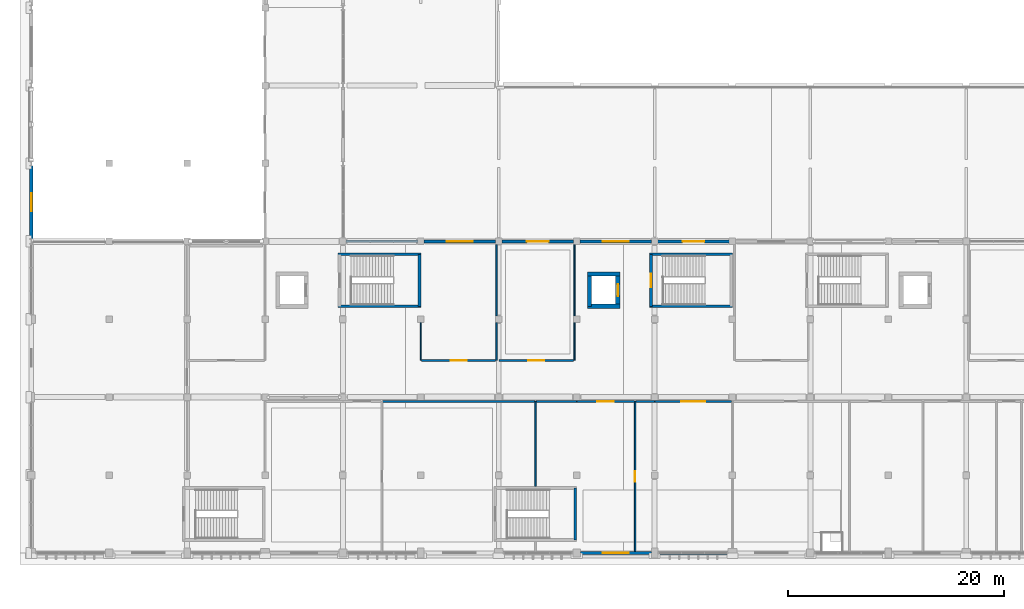
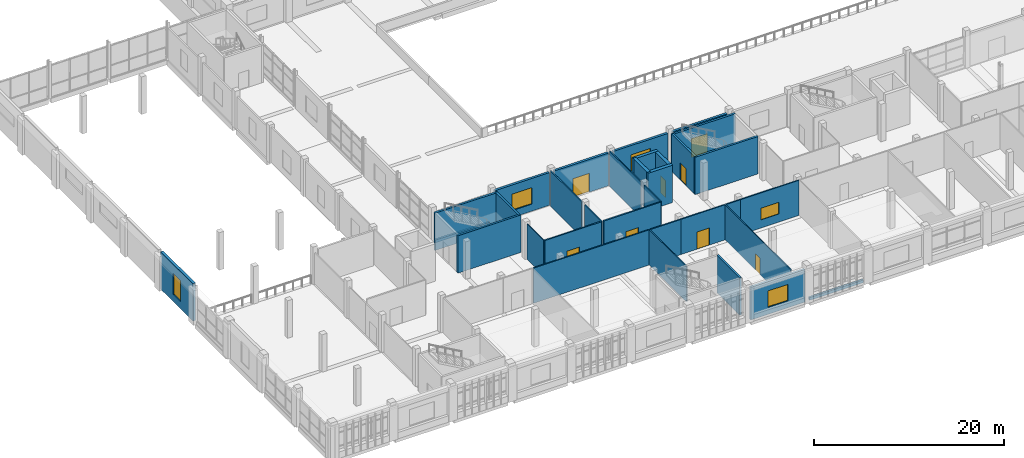
# One storey, part 57 of 82: 33 walls, 8 doors, 5 windows, 13 openings.
"""IFC4 building model written with IfcOpenShell, lengths in metres."""

from ifc_helpers import new_model, si_unit, direction, frame, frame_2d, origin, place, context, subcontext, project, spatial, rectangle, extrude, material, layer, layer_set, type_object, element, fill, save


model = new_model("IFC4")

# Units and contexts
model_context = context("Model", 3, precision=1e-05, world=origin(), true_north=direction((0.0, 1.0)))
body_context = subcontext(model_context, "Body", "Model", "MODEL_VIEW")
ifc_project = project(units=[si_unit("LENGTHUNIT", "METRE"), si_unit("AREAUNIT", "SQUARE_METRE"), si_unit("VOLUMEUNIT", "CUBIC_METRE"), si_unit("PLANEANGLEUNIT", "RADIAN"), si_unit("MASSUNIT", "GRAM", prefix="KILO")], contexts=[model_context])

# Site, building, storey
site_placement = place(None, origin())
site = spatial("IfcSite", under=ifc_project, at=site_placement, CompositionType="ELEMENT")
building_placement = place(site_placement, origin())
building = spatial("IfcBuilding", under=site, at=building_placement, Name="Sardonyx Promenade Sports Hall", CompositionType="ELEMENT")
storey_placement = place(building_placement, frame((0.0, 0.0, 11.199951171875)))
storey = spatial("IfcBuildingStorey", under=building, at=storey_placement, Name="L02", CompositionType="ELEMENT", Elevation=11.199951171875)

# Wall, opening, door
ifc_material_1 = material(Name="Concrete C40/50", Category="concrete")
ifc_layer_1 = layer(ifc_material_1, 0.3798828125)
ifc_layer_set_1 = layer_set([ifc_layer_1], Name="Wall_Core_Shear_380")
wall_type_1 = type_object("IfcWallType", Name="Wall_Core_Shear_380", PredefinedType="SHEAR", material=ifc_layer_set_1)
wall_1_placement = place(storey_placement, frame((54.199951171875, 22.800048828125, 0.0), z_axis=(0.0, 0.0, 1.0), x_axis=(0.0, 1.0, 0.0)))
wall_1 = element("IfcWall", 1, at=wall_1_placement, inside=storey, type_object=wall_type_1, Name="Lift shaft wall LF3 L02 E", PredefinedType="SHEAR", context=body_context, shape_type="SweptSolid", body=[
    extrude(rectangle(XDim=3.0, YDim=0.3798828125, at=frame_2d((1.5, 0.0))), origin(), (0.0, 0.0, 1.0), 4.800048828125),
])
opening_1_placement = place(wall_1_placement, frame((0.949951171875, 0.0, 0.0)))
opening_1 = element("IfcOpeningElement", 2, at=opening_1_placement, cuts=wall_1, Name="Opening LD01", PredefinedType="OPENING", context=body_context, shape_type="SweptSolid", body=[
    extrude(rectangle(XDim=1.10009765625, YDim=2.199951171875, at=frame_2d((0.550048828125, 1.10009765625))), frame((0.0, 0.2, 0.0), z_axis=(0.0, -1.0, 0.0), x_axis=(1.0, 0.0, 0.0)), (0.0, 0.0, 1.0), 0.4),
])
ifc_material_2 = material(Name="Fire-rated stainless steel sliding lift door", Category="steel")
door_type_1 = type_object("IfcDoorType", Name="Door_Lift_Pass_110x220", OperationType="NOTDEFINED", PredefinedType="DOOR", material=ifc_material_2)
door_1_placement = place(opening_1_placement, origin())
door_1 = element("IfcDoor", 3, at=door_1_placement, inside=storey, type_object=door_type_1, Name="Lift landing sliding door LD-LF3-L02", OperationType="SLIDING_TO_LEFT", OverallHeight=2.199951171875, OverallWidth=1.10009765625, PredefinedType="DOOR", context=body_context, shape_type="SweptSolid", body=[
    extrude(rectangle(XDim=1.10009765625, YDim=2.199951171875, at=frame_2d((0.550048828125, 1.10009765625))), frame((0.0, 0.02490234375, 0.0), z_axis=(0.0, -1.0, 0.0), x_axis=(1.0, 0.0, 0.0)), (0.0, 0.0, 1.0), 0.050048828125),
])
fill(opening_1, door_1)

# Walls
wall_2_placement = place(storey_placement, frame((51.409912109375, 25.800048828125, 0.0), z_axis=(0.0, 0.0, 1.0), x_axis=(1.0, 0.0, 0.0)))
element("IfcWall", 4, at=wall_2_placement, inside=storey, type_object=wall_type_1, Name="Lift shaft wall LF3 L02 N", PredefinedType="SHEAR", context=body_context, shape_type="SweptSolid", body=[
    extrude(rectangle(XDim=2.97998046875, YDim=0.3798828125, at=frame_2d((1.489990234375, 0.0))), origin(), (0.0, 0.0, 1.0), 4.800048828125),
])
wall_3_placement = place(storey_placement, frame((51.60009765625, 25.800048828125, 0.0), z_axis=(0.0, 0.0, 1.0), x_axis=(0.0, -1.0, 0.0)))
element("IfcWall", 5, at=wall_3_placement, inside=storey, type_object=wall_type_1, Name="Lift shaft wall LF3 L02 W", PredefinedType="SHEAR", context=body_context, shape_type="SweptSolid", body=[
    extrude(rectangle(XDim=3.0, YDim=0.3798828125, at=frame_2d((1.5, 0.0))), origin(), (0.0, 0.0, 1.0), 4.800048828125),
])
wall_4_placement = place(storey_placement, frame((54.389892578125, 22.800048828125, 0.0), z_axis=(0.0, 0.0, 1.0), x_axis=(-1.0, 0.0, 0.0)))
element("IfcWall", 6, at=wall_4_placement, inside=storey, type_object=wall_type_1, Name="Lift shaft wall LF3 L02 S", PredefinedType="SHEAR", context=body_context, shape_type="SweptSolid", body=[
    extrude(rectangle(XDim=2.97998046875, YDim=0.3798828125, at=frame_2d((1.489990234375, 0.0))), origin(), (0.0, 0.0, 1.0), 4.800048828125),
])

# Wall, opening, window
ifc_material_3 = material(Name="Concrete C40/50", Category="concrete")
ifc_layer_2 = layer(ifc_material_3, 0.320068359375)
ifc_layer_set_2 = layer_set([ifc_layer_2], Name="Wall_Ext_Court_320")
wall_type_2 = type_object("IfcWallType", Name="Wall_Ext_Court_320", PredefinedType="SOLIDWALL", material=ifc_layer_set_2)
wall_5_placement = place(storey_placement, frame((0.0, 29.0048828125, 0.0), z_axis=(0.0, 0.0, 1.0), x_axis=(0.0, 1.0, 0.0)))
wall_5 = element("IfcWall", 7, at=wall_5_placement, inside=storey, type_object=wall_type_2, Name="Exterior wall EW01 L02 #152", PredefinedType="SOLIDWALL", context=body_context, shape_type="SweptSolid", body=[
    extrude(rectangle(XDim=6.7900390625, YDim=0.320068359375, at=frame_2d((3.39501953125, 0.0))), origin(), (0.0, 0.0, 1.0), 4.800048828125),
])
opening_2_placement = place(wall_5_placement, frame((2.570068359375, 0.0, 0.89990234375)))
opening_2 = element("IfcOpeningElement", 8, at=opening_2_placement, cuts=wall_5, Name="Opening W10", PredefinedType="OPENING", context=body_context, shape_type="SweptSolid", body=[
    extrude(rectangle(XDim=1.64990234375, YDim=2.699951171875, at=frame_2d((0.824951171875, 1.35009765625))), frame((0.0, 0.17, 0.0), z_axis=(0.0, -1.0, 0.0), x_axis=(1.0, 0.0, 0.0)), (0.0, 0.0, 1.0), 0.34),
])
ifc_material_4 = material(Name="Double-glazed solar low-E aluminium window", Category="aluminium")
window_type_1 = type_object("IfcWindowType", Name="Win_Sandstone_TallB", PartitioningType="SINGLE_PANEL", PredefinedType="WINDOW", material=ifc_material_4)
window_1_placement = place(opening_2_placement, origin())
window_1 = element("IfcWindow", 9, at=window_1_placement, inside=storey, type_object=window_type_1, Name="Facade window W10 L02 #65", OverallHeight=2.699951171875, OverallWidth=1.64990234375, PartitioningType="SINGLE_PANEL", PredefinedType="WINDOW", context=body_context, shape_type="SweptSolid", body=[
    extrude(rectangle(XDim=1.64990234375, YDim=2.699951171875, at=frame_2d((0.824951171875, 1.35009765625))), frame((0.0, 0.030029296875, 0.0), z_axis=(0.0, -1.0, 0.0), x_axis=(1.0, 0.0, 0.0)), (0.0, 0.0, 1.0), 0.06005859375),
])
fill(opening_2, window_1)

# Walls
ifc_material_5 = material(Name="Masonry CMU 15 MPa", Category="masonry")
ifc_layer_3 = layer(ifc_material_5, 0.239990234375)
ifc_layer_set_3 = layer_set([ifc_layer_3], Name="Wall_Ext_Spandrel_240")
wall_type_3 = type_object("IfcWallType", Name="Wall_Ext_Spandrel_240", PredefinedType="SOLIDWALL", material=ifc_layer_set_3)
wall_6_placement = place(storey_placement, frame((64.4150390625, 0.0, 0.0), z_axis=(0.0, 0.0, 1.0), x_axis=(-1.0, 0.0, 0.0)))
element("IfcWall", 10, at=wall_6_placement, inside=storey, type_object=wall_type_3, Name="Curtain-wall sill spandrel L02 #68", PredefinedType="SOLIDWALL", context=body_context, shape_type="SweptSolid", body=[
    extrude(rectangle(XDim=6.530029296875, YDim=0.239990234375, at=frame_2d((3.26513671875, 0.0))), origin(), (0.0, 0.0, 1.0), 0.35009765625),
])
wall_7_placement = place(storey_placement, frame((29.0849609375, 28.800048828125, 0.0), z_axis=(0.0, 0.0, 1.0), x_axis=(1.0, 0.0, 0.0)))
element("IfcWall", 11, at=wall_7_placement, inside=storey, type_object=wall_type_3, Name="Curtain-wall sill spandrel L02 #239", PredefinedType="SOLIDWALL", context=body_context, shape_type="SweptSolid", body=[
    extrude(rectangle(XDim=6.630126953125, YDim=0.239990234375, at=frame_2d((3.31494140625, 0.0))), origin(), (0.0, 0.0, 1.0), 0.35009765625),
])

# Wall, opening, window
ifc_material_6 = material(Name="Concrete C40/50", Category="concrete")
ifc_layer_4 = layer(ifc_material_6, 0.280029296875)
ifc_layer_set_4 = layer_set([ifc_layer_4], Name="Wall_Ext_Wing_280")
wall_type_4 = type_object("IfcWallType", Name="Wall_Ext_Wing_280", PredefinedType="SOLIDWALL", material=ifc_layer_set_4)
wall_8_placement = place(storey_placement, frame((57.31494140625, 0.0, 0.0), z_axis=(0.0, 0.0, 1.0), x_axis=(-1.0, 0.0, 0.0)))
wall_8 = element("IfcWall", 12, at=wall_8_placement, inside=storey, type_object=wall_type_4, Name="Exterior wall EW02 L02 #69", PredefinedType="SOLIDWALL", context=body_context, shape_type="SweptSolid", body=[
    extrude(rectangle(XDim=6.579833984375, YDim=0.280029296875, at=frame_2d((3.2900390625, 0.0))), origin(), (0.0, 0.0, 1.0), 4.18505859375),
])
opening_3_placement = place(wall_8_placement, frame((2.090087890625, 0.0, 0.89990234375)))
opening_3 = element("IfcOpeningElement", 13, at=opening_3_placement, cuts=wall_8, Name="Opening W16", PredefinedType="OPENING", context=body_context, shape_type="SweptSolid", body=[
    extrude(rectangle(XDim=2.39990234375, YDim=2.10009765625, at=frame_2d((1.199951171875, 1.050048828125))), frame((0.0, 0.15, 0.0), z_axis=(0.0, -1.0, 0.0), x_axis=(1.0, 0.0, 0.0)), (0.0, 0.0, 1.0), 0.3),
])
ifc_material_7 = material(Name="Double-glazed solar low-E aluminium window", Category="aluminium")
window_type_2 = type_object("IfcWindowType", Name="Win_Studio_240x210", PartitioningType="DOUBLE_PANEL_VERTICAL", PredefinedType="WINDOW", material=ifc_material_7)
window_2_placement = place(opening_3_placement, origin())
window_2 = element("IfcWindow", 14, at=window_2_placement, inside=storey, type_object=window_type_2, Name="Facade window W16 L02 #27", OverallHeight=2.10009765625, OverallWidth=2.39990234375, PartitioningType="SINGLE_PANEL", PredefinedType="WINDOW", context=body_context, shape_type="SweptSolid", body=[
    extrude(rectangle(XDim=2.39990234375, YDim=2.10009765625, at=frame_2d((1.199951171875, 1.050048828125))), frame((0.0, 0.030029296875, 0.0), z_axis=(0.0, -1.0, 0.0), x_axis=(1.0, 0.0, 0.0)), (0.0, 0.0, 1.0), 0.06005859375),
])
fill(opening_3, window_2)

wall_9_placement = place(storey_placement, frame((36.284912109375, 28.800048828125, 0.0), z_axis=(0.0, 0.0, 1.0), x_axis=(1.0, 0.0, 0.0)))
wall_9 = element("IfcWall", 15, at=wall_9_placement, inside=storey, type_object=wall_type_4, Name="Exterior wall EW02 L02 #240", PredefinedType="SOLIDWALL", context=body_context, shape_type="SweptSolid", body=[
    extrude(rectangle(XDim=6.630126953125, YDim=0.280029296875, at=frame_2d((3.31494140625, 0.0))), origin(), (0.0, 0.0, 1.0), 4.18505859375),
])
opening_4_placement = place(wall_9_placement, frame((2.114990234375, 0.0, 0.89990234375)))
opening_4 = element("IfcOpeningElement", 16, at=opening_4_placement, cuts=wall_9, Name="Opening W16", PredefinedType="OPENING", context=body_context, shape_type="SweptSolid", body=[
    extrude(rectangle(XDim=2.39990234375, YDim=2.10009765625, at=frame_2d((1.199951171875, 1.050048828125))), frame((0.0, 0.15, 0.0), z_axis=(0.0, -1.0, 0.0), x_axis=(1.0, 0.0, 0.0)), (0.0, 0.0, 1.0), 0.3),
])
window_3_placement = place(opening_4_placement, origin())
window_3 = element("IfcWindow", 17, at=window_3_placement, inside=storey, type_object=window_type_2, Name="Facade window W16 L02 #96", OverallHeight=2.10009765625, OverallWidth=2.39990234375, PartitioningType="SINGLE_PANEL", PredefinedType="WINDOW", context=body_context, shape_type="SweptSolid", body=[
    extrude(rectangle(XDim=2.39990234375, YDim=2.10009765625, at=frame_2d((1.199951171875, 1.050048828125))), frame((0.0, 0.030029296875, 0.0), z_axis=(0.0, -1.0, 0.0), x_axis=(1.0, 0.0, 0.0)), (0.0, 0.0, 1.0), 0.06005859375),
])
fill(opening_4, window_3)

# Wall, opening, door
wall_10_placement = place(storey_placement, frame((43.485107421875, 28.800048828125, 0.0), z_axis=(0.0, 0.0, 1.0), x_axis=(1.0, 0.0, 0.0)))
wall_10 = element("IfcWall", 18, at=wall_10_placement, inside=storey, type_object=wall_type_4, Name="Exterior wall EW02 L02 #241", PredefinedType="SOLIDWALL", context=body_context, shape_type="SweptSolid", body=[
    extrude(rectangle(XDim=6.6298828125, YDim=0.280029296875, at=frame_2d((3.31494140625, 0.0))), origin(), (0.0, 0.0, 1.0), 4.18505859375),
])
opening_5_placement = place(wall_10_placement, frame((2.31494140625, 0.0, 0.0)))
opening_5 = element("IfcOpeningElement", 19, at=opening_5_placement, cuts=wall_10, Name="Opening ED12", PredefinedType="OPENING", context=body_context, shape_type="SweptSolid", body=[
    extrude(rectangle(XDim=2.0, YDim=2.39990234375, at=frame_2d((1.0, 1.199951171875))), frame((0.0, 0.15, 0.0), z_axis=(0.0, -1.0, 0.0), x_axis=(1.0, 0.0, 0.0)), (0.0, 0.0, 1.0), 0.3),
])
ifc_material_8 = material(Name="Thermally broken anodised aluminium glazed door", Category="aluminium")
door_type_2 = type_object("IfcDoorType", Name="Door_Ext_Garden_200x240", OperationType="NOTDEFINED", PredefinedType="DOOR", material=ifc_material_8)
door_2_placement = place(opening_5_placement, origin())
door_2 = element("IfcDoor", 20, at=door_2_placement, inside=storey, type_object=door_type_2, Name="Exterior exit door GD02", OperationType="DOUBLE_DOOR_SINGLE_SWING", OverallHeight=2.39990234375, OverallWidth=2.0, PredefinedType="DOOR", context=body_context, shape_type="SweptSolid", body=[
    extrude(rectangle(XDim=2.0, YDim=2.39990234375, at=frame_2d((1.0, 1.199951171875))), frame((0.0, 0.02490234375, 0.0), z_axis=(0.0, -1.0, 0.0), x_axis=(1.0, 0.0, 0.0)), (0.0, 0.0, 1.0), 0.050048828125),
])
fill(opening_5, door_2)

# Wall, opening, window
wall_11_placement = place(storey_placement, frame((50.68505859375, 28.800048828125, 0.0), z_axis=(0.0, 0.0, 1.0), x_axis=(1.0, 0.0, 0.0)))
wall_11 = element("IfcWall", 21, at=wall_11_placement, inside=storey, type_object=wall_type_4, Name="Exterior wall EW02 L02 #242", PredefinedType="SOLIDWALL", context=body_context, shape_type="SweptSolid", body=[
    extrude(rectangle(XDim=6.6298828125, YDim=0.280029296875, at=frame_2d((3.31494140625, 0.0))), origin(), (0.0, 0.0, 1.0), 4.18505859375),
])
opening_6_placement = place(wall_11_placement, frame((2.114990234375, 0.0, 0.89990234375)))
opening_6 = element("IfcOpeningElement", 22, at=opening_6_placement, cuts=wall_11, Name="Opening W16", PredefinedType="OPENING", context=body_context, shape_type="SweptSolid", body=[
    extrude(rectangle(XDim=2.39990234375, YDim=2.10009765625, at=frame_2d((1.199951171875, 1.050048828125))), frame((0.0, 0.15, 0.0), z_axis=(0.0, -1.0, 0.0), x_axis=(1.0, 0.0, 0.0)), (0.0, 0.0, 1.0), 0.3),
])
window_4_placement = place(opening_6_placement, origin())
window_4 = element("IfcWindow", 23, at=window_4_placement, inside=storey, type_object=window_type_2, Name="Facade window W16 L02 #97", OverallHeight=2.10009765625, OverallWidth=2.39990234375, PartitioningType="SINGLE_PANEL", PredefinedType="WINDOW", context=body_context, shape_type="SweptSolid", body=[
    extrude(rectangle(XDim=2.39990234375, YDim=2.10009765625, at=frame_2d((1.199951171875, 1.050048828125))), frame((0.0, 0.030029296875, 0.0), z_axis=(0.0, -1.0, 0.0), x_axis=(1.0, 0.0, 0.0)), (0.0, 0.0, 1.0), 0.06005859375),
])
fill(opening_6, window_4)

# Wall, opening, door
wall_12_placement = place(storey_placement, frame((57.885009765625, 28.800048828125, 0.0), z_axis=(0.0, 0.0, 1.0), x_axis=(1.0, 0.0, 0.0)))
wall_12 = element("IfcWall", 24, at=wall_12_placement, inside=storey, type_object=wall_type_4, Name="Exterior wall EW02 L02 #243", PredefinedType="SOLIDWALL", context=body_context, shape_type="SweptSolid", body=[
    extrude(rectangle(XDim=6.6298828125, YDim=0.280029296875, at=frame_2d((3.31494140625, 0.0))), origin(), (0.0, 0.0, 1.0), 4.18505859375),
])
opening_7_placement = place(wall_12_placement, frame((2.31494140625, 0.0, 0.0)))
opening_7 = element("IfcOpeningElement", 25, at=opening_7_placement, cuts=wall_12, Name="Opening ED12", PredefinedType="OPENING", context=body_context, shape_type="SweptSolid", body=[
    extrude(rectangle(XDim=2.0, YDim=2.39990234375, at=frame_2d((1.0, 1.199951171875))), frame((0.0, 0.15, 0.0), z_axis=(0.0, -1.0, 0.0), x_axis=(1.0, 0.0, 0.0)), (0.0, 0.0, 1.0), 0.3),
])
door_3_placement = place(opening_7_placement, origin())
door_3 = element("IfcDoor", 26, at=door_3_placement, inside=storey, type_object=door_type_2, Name="Exterior exit door GD03", OperationType="DOUBLE_DOOR_SINGLE_SWING", OverallHeight=2.39990234375, OverallWidth=2.0, PredefinedType="DOOR", context=body_context, shape_type="SweptSolid", body=[
    extrude(rectangle(XDim=2.0, YDim=2.39990234375, at=frame_2d((1.0, 1.199951171875))), frame((0.0, 0.02490234375, 0.0), z_axis=(0.0, -1.0, 0.0), x_axis=(1.0, 0.0, 0.0)), (0.0, 0.0, 1.0), 0.050048828125),
])
fill(opening_7, door_3)

ifc_material_9 = material(Name="Twin-stud acoustic gypsum partition", Category="gypsum")
ifc_layer_5 = layer(ifc_material_9, 0.169921875)
ifc_layer_set_5 = layer_set([ifc_layer_5], Name="Wall_Part_Acoust_170")
wall_type_5 = type_object("IfcWallType", Name="Wall_Part_Acoust_170", PredefinedType="PARTITIONING", material=ifc_layer_set_5)
wall_13_placement = place(storey_placement, frame((36.06005859375, 17.800048828125, 0.0), z_axis=(0.0, 0.0, 1.0), x_axis=(1.0, 0.0, 0.0)))
wall_13 = element("IfcWall", 27, at=wall_13_placement, inside=storey, type_object=wall_type_5, Name="Interior partition PW06 L02 #291", PredefinedType="PARTITIONING", context=body_context, shape_type="SweptSolid", body=[
    extrude(rectangle(XDim=6.85986328125, YDim=0.169921875, at=frame_2d((3.429931640625, 0.0))), origin(), (0.0, 0.0, 1.0), 4.510009765625),
])
opening_8_placement = place(wall_13_placement, frame((2.679931640625, 0.0, 0.0)))
opening_8 = element("IfcOpeningElement", 28, at=opening_8_placement, cuts=wall_13, Name="Opening ID10", PredefinedType="OPENING", context=body_context, shape_type="SweptSolid", body=[
    extrude(rectangle(XDim=1.5, YDim=2.199951171875, at=frame_2d((0.75, 1.10009765625))), frame((0.0, 0.095, 0.0), z_axis=(0.0, -1.0, 0.0), x_axis=(1.0, 0.0, 0.0)), (0.0, 0.0, 1.0), 0.19),
])
ifc_material_10 = material(Name="Double studio entrance fire door FD30S", Category="wood")
door_type_3 = type_object("IfcDoorType", Name="Door_Corr_FD30_150x220", OperationType="NOTDEFINED", PredefinedType="DOOR", material=ifc_material_10)
door_4_placement = place(opening_8_placement, origin())
door_4 = element("IfcDoor", 29, at=door_4_placement, inside=storey, type_object=door_type_3, Name="Interior door D02-091", OperationType="DOUBLE_DOOR_SINGLE_SWING", OverallHeight=2.199951171875, OverallWidth=1.5, PredefinedType="DOOR", context=body_context, shape_type="SweptSolid", body=[
    extrude(rectangle(XDim=1.5, YDim=2.199951171875, at=frame_2d((0.75, 1.10009765625))), frame((0.0, 0.02490234375, 0.0), z_axis=(0.0, -1.0, 0.0), x_axis=(1.0, 0.0, 0.0)), (0.0, 0.0, 1.0), 0.050048828125),
])
fill(opening_8, door_4)

wall_14_placement = place(storey_placement, frame((43.199951171875, 17.800048828125, 0.0), z_axis=(0.0, 0.0, 1.0), x_axis=(1.0, 0.0, 0.0)))
wall_14 = element("IfcWall", 30, at=wall_14_placement, inside=storey, type_object=wall_type_5, Name="Interior partition PW06 L02 #292", PredefinedType="PARTITIONING", context=body_context, shape_type="SweptSolid", body=[
    extrude(rectangle(XDim=6.925048828125, YDim=0.169921875, at=frame_2d((3.46240234375, 0.0))), origin(), (0.0, 0.0, 1.0), 4.510009765625),
])
opening_9_placement = place(wall_14_placement, frame((2.71240234375, 0.0, 0.0)))
opening_9 = element("IfcOpeningElement", 31, at=opening_9_placement, cuts=wall_14, Name="Opening ID10", PredefinedType="OPENING", context=body_context, shape_type="SweptSolid", body=[
    extrude(rectangle(XDim=1.5, YDim=2.199951171875, at=frame_2d((0.75, 1.10009765625))), frame((0.0, 0.095, 0.0), z_axis=(0.0, -1.0, 0.0), x_axis=(1.0, 0.0, 0.0)), (0.0, 0.0, 1.0), 0.19),
])
door_5_placement = place(opening_9_placement, origin())
door_5 = element("IfcDoor", 32, at=door_5_placement, inside=storey, type_object=door_type_3, Name="Interior door D02-092", OperationType="DOUBLE_DOOR_SINGLE_SWING", OverallHeight=2.199951171875, OverallWidth=1.5, PredefinedType="DOOR", context=body_context, shape_type="SweptSolid", body=[
    extrude(rectangle(XDim=1.5, YDim=2.199951171875, at=frame_2d((0.75, 1.10009765625))), frame((0.0, 0.02490234375, 0.0), z_axis=(0.0, -1.0, 0.0), x_axis=(1.0, 0.0, 0.0)), (0.0, 0.0, 1.0), 0.050048828125),
])
fill(opening_9, door_5)

ifc_material_11 = material(Name="Hygienic clinical stud partition", Category="gypsum")
ifc_layer_6 = layer(ifc_material_11, 0.1201171875)
ifc_layer_set_6 = layer_set([ifc_layer_6], Name="Wall_Part_Clinic_120")
wall_type_6 = type_object("IfcWallType", Name="Wall_Part_Clinic_120", PredefinedType="PARTITIONING", material=ifc_layer_set_6)
wall_15_placement = place(storey_placement, frame((55.800048828125, 0.14990234375, 0.0), z_axis=(0.0, 0.0, 1.0), x_axis=(0.0, 1.0, 0.0)))
wall_15 = element("IfcWall", 33, at=wall_15_placement, inside=storey, type_object=wall_type_6, Name="Interior partition PW02 L02 #253", PredefinedType="PARTITIONING", context=body_context, shape_type="SweptSolid", body=[
    extrude(rectangle(XDim=13.85009765625, YDim=0.1201171875, at=frame_2d((6.925048828125, 0.0))), origin(), (0.0, 0.0, 1.0), 4.510009765625),
])
opening_10_placement = place(wall_15_placement, frame((6.425048828125, 0.0, 0.0)))
opening_10 = element("IfcOpeningElement", 34, at=opening_10_placement, cuts=wall_15, Name="Opening ID05", PredefinedType="OPENING", context=body_context, shape_type="SweptSolid", body=[
    extrude(rectangle(XDim=1.0, YDim=2.10009765625, at=frame_2d((0.5, 1.050048828125))), frame((0.0, 0.07, 0.0), z_axis=(0.0, -1.0, 0.0), x_axis=(1.0, 0.0, 0.0)), (0.0, 0.0, 1.0), 0.14),
])
ifc_material_12 = material(Name="Acoustic laminate clinic door", Category="wood")
door_type_4 = type_object("IfcDoorType", Name="Door_Suite_100x210", OperationType="NOTDEFINED", PredefinedType="DOOR", material=ifc_material_12)
door_6_placement = place(opening_10_placement, origin())
door_6 = element("IfcDoor", 35, at=door_6_placement, inside=storey, type_object=door_type_4, Name="Interior door D02-077", OperationType="SINGLE_SWING_RIGHT", OverallHeight=2.10009765625, OverallWidth=1.0, PredefinedType="DOOR", context=body_context, shape_type="SweptSolid", body=[
    extrude(rectangle(XDim=1.0, YDim=2.10009765625, at=frame_2d((0.5, 1.050048828125))), frame((0.0, 0.02490234375, 0.0), z_axis=(0.0, -1.0, 0.0), x_axis=(1.0, 0.0, 0.0)), (0.0, 0.0, 1.0), 0.050048828125),
])
fill(opening_10, door_6)

# Walls
ifc_material_13 = material(Name="Fire-rated stud gypsum partition", Category="gypsum")
ifc_layer_7 = layer(ifc_material_13, 0.14990234375)
ifc_layer_set_7 = layer_set([ifc_layer_7], Name="Wall_Part_Corridor_150")
wall_type_7 = type_object("IfcWallType", Name="Wall_Part_Corridor_150", PredefinedType="PARTITIONING", material=ifc_layer_set_7)
wall_16_placement = place(storey_placement, frame((32.47509765625, 14.0, 0.0), z_axis=(0.0, 0.0, 1.0), x_axis=(1.0, 0.0, 0.0)))
element("IfcWall", 36, at=wall_16_placement, inside=storey, type_object=wall_type_7, Name="Interior partition PW04 L02 #277", PredefinedType="PARTITIONING", context=body_context, shape_type="SweptSolid", body=[
    extrude(rectangle(XDim=14.0498046875, YDim=0.14990234375, at=frame_2d((7.02490234375, 0.0))), origin(), (0.0, 0.0, 1.0), 4.510009765625),
])
wall_17_placement = place(storey_placement, frame((46.675048828125, 14.0, 0.0), z_axis=(0.0, 0.0, 1.0), x_axis=(1.0, 0.0, 0.0)))
element("IfcWall", 37, at=wall_17_placement, inside=storey, type_object=wall_type_7, Name="Interior partition PW04 L02 #278", PredefinedType="PARTITIONING", context=body_context, shape_type="SweptSolid", body=[
    extrude(rectangle(XDim=3.724853515625, YDim=0.14990234375, at=frame_2d((1.8623046875, 0.0))), origin(), (0.0, 0.0, 1.0), 4.510009765625),
])

# Wall, opening, door
wall_18_placement = place(storey_placement, frame((50.409912109375, 14.0, 0.0), z_axis=(0.0, 0.0, 1.0), x_axis=(1.0, 0.0, 0.0)))
wall_18 = element("IfcWall", 38, at=wall_18_placement, inside=storey, type_object=wall_type_7, Name="Interior partition PW04 L02 #279", PredefinedType="PARTITIONING", context=body_context, shape_type="SweptSolid", body=[
    extrude(rectangle(XDim=5.320068359375, YDim=0.14990234375, at=frame_2d((2.66015625, 0.0))), origin(), (0.0, 0.0, 1.0), 4.510009765625),
])
opening_11_placement = place(wall_18_placement, frame((1.909912109375, 0.0, 0.0)))
opening_11 = element("IfcOpeningElement", 39, at=opening_11_placement, cuts=wall_18, Name="Opening ID10", PredefinedType="OPENING", context=body_context, shape_type="SweptSolid", body=[
    extrude(rectangle(XDim=1.5, YDim=2.199951171875, at=frame_2d((0.75, 1.10009765625))), frame((0.0, 0.085, 0.0), z_axis=(0.0, -1.0, 0.0), x_axis=(1.0, 0.0, 0.0)), (0.0, 0.0, 1.0), 0.17),
])
door_7_placement = place(opening_11_placement, origin())
door_7 = element("IfcDoor", 40, at=door_7_placement, inside=storey, type_object=door_type_3, Name="Interior door D02-082", OperationType="DOUBLE_DOOR_SINGLE_SWING", OverallHeight=2.199951171875, OverallWidth=1.5, PredefinedType="DOOR", context=body_context, shape_type="SweptSolid", body=[
    extrude(rectangle(XDim=1.5, YDim=2.199951171875, at=frame_2d((0.75, 1.10009765625))), frame((0.0, 0.02490234375, 0.0), z_axis=(0.0, -1.0, 0.0), x_axis=(1.0, 0.0, 0.0)), (0.0, 0.0, 1.0), 0.050048828125),
])
fill(opening_11, door_7)

# Wall
wall_19_placement = place(storey_placement, frame((55.8701171875, 14.0, 0.0), z_axis=(0.0, 0.0, 1.0), x_axis=(1.0, 0.0, 0.0)))
element("IfcWall", 41, at=wall_19_placement, inside=storey, type_object=wall_type_7, Name="Interior partition PW04 L02 #280", PredefinedType="PARTITIONING", context=body_context, shape_type="SweptSolid", body=[
    extrude(rectangle(XDim=1.72998046875, YDim=0.14990234375, at=frame_2d((0.864990234375, 0.0))), origin(), (0.0, 0.0, 1.0), 4.510009765625),
])

# Wall, opening, window
wall_20_placement = place(storey_placement, frame((57.610107421875, 14.0, 0.0), z_axis=(0.0, 0.0, 1.0), x_axis=(1.0, 0.0, 0.0)))
wall_20 = element("IfcWall", 42, at=wall_20_placement, inside=storey, type_object=wall_type_7, Name="Interior partition PW04 L02 #281", PredefinedType="PARTITIONING", context=body_context, shape_type="SweptSolid", body=[
    extrude(rectangle(XDim=7.119873046875, YDim=0.14990234375, at=frame_2d((3.56005859375, 0.0))), origin(), (0.0, 0.0, 1.0), 4.510009765625),
])
opening_12_placement = place(wall_20_placement, frame((2.4599609375, 0.0, 1.050048828125)))
opening_12 = element("IfcOpeningElement", 43, at=opening_12_placement, cuts=wall_20, Name="Opening IW01", PredefinedType="OPENING", context=body_context, shape_type="SweptSolid", body=[
    extrude(rectangle(XDim=2.199951171875, YDim=1.5, at=frame_2d((1.10009765625, 0.75))), frame((0.0, 0.085, 0.0), z_axis=(0.0, -1.0, 0.0), x_axis=(1.0, 0.0, 0.0)), (0.0, 0.0, 1.0), 0.17),
])
ifc_material_14 = material(Name="Acoustic laminated sports viewing glazing EI 60", Category="glass")
window_type_3 = type_object("IfcWindowType", Name="IWin_Studio_220x150", PartitioningType="DOUBLE_PANEL_VERTICAL", PredefinedType="WINDOW", material=ifc_material_14)
window_5_placement = place(opening_12_placement, origin())
window_5 = element("IfcWindow", 44, at=window_5_placement, inside=storey, type_object=window_type_3, Name="Internal viewing window IW01 L02 #6", OverallHeight=1.5, OverallWidth=2.199951171875, PartitioningType="SINGLE_PANEL", PredefinedType="WINDOW", context=body_context, shape_type="SweptSolid", body=[
    extrude(rectangle(XDim=2.199951171875, YDim=1.5, at=frame_2d((1.10009765625, 0.75))), frame((0.0, 0.030029296875, 0.0), z_axis=(0.0, -1.0, 0.0), x_axis=(1.0, 0.0, 0.0)), (0.0, 0.0, 1.0), 0.06005859375),
])
fill(opening_12, window_5)

# Walls
ifc_material_15 = material(Name="Lightweight steel-stud partition", Category="steel")
ifc_layer_8 = layer(ifc_material_15, 0.10009765625)
ifc_layer_set_8 = layer_set([ifc_layer_8], Name="Wall_Part_Light_100")
wall_type_8 = type_object("IfcWallType", Name="Wall_Part_Light_100", PredefinedType="PARTITIONING", material=ifc_layer_set_8)
wall_21_placement = place(storey_placement, frame((36.0, 17.800048828125, 0.0), z_axis=(0.0, 0.0, 1.0), x_axis=(0.0, 1.0, 0.0)))
element("IfcWall", 45, at=wall_21_placement, inside=storey, type_object=wall_type_8, Name="Interior partition PW01 L02 #259", PredefinedType="PARTITIONING", context=body_context, shape_type="SweptSolid", body=[
    extrude(rectangle(XDim=3.5, YDim=0.10009765625, at=frame_2d((1.75, 0.0))), origin(), (0.0, 0.0, 1.0), 4.510009765625),
])
ifc_material_16 = material(Name="Acoustic sports stud partition", Category="gypsum")
ifc_layer_9 = layer(ifc_material_16, 0.1298828125)
ifc_layer_set_9 = layer_set([ifc_layer_9], Name="Wall_Part_Studio_130")
wall_type_9 = type_object("IfcWallType", Name="Wall_Part_Studio_130", PredefinedType="PARTITIONING", material=ifc_layer_set_9)
wall_22_placement = place(storey_placement, frame((46.60009765625, 6.14990234375, 0.0), z_axis=(0.0, 0.0, 1.0), x_axis=(0.0, 1.0, 0.0)))
element("IfcWall", 46, at=wall_22_placement, inside=storey, type_object=wall_type_9, Name="Interior partition PW05 L02 #240", PredefinedType="PARTITIONING", context=body_context, shape_type="SweptSolid", body=[
    extrude(rectangle(XDim=7.85009765625, YDim=0.1298828125, at=frame_2d((3.925048828125, 0.0))), origin(), (0.0, 0.0, 1.0), 4.510009765625),
])
wall_23_placement = place(storey_placement, frame((50.199951171875, 17.800048828125, 0.0), z_axis=(0.0, 0.0, 1.0), x_axis=(0.0, 1.0, 0.0)))
element("IfcWall", 47, at=wall_23_placement, inside=storey, type_object=wall_type_9, Name="Interior partition PW05 L02 #262", PredefinedType="PARTITIONING", context=body_context, shape_type="SweptSolid", body=[
    extrude(rectangle(XDim=3.5, YDim=0.1298828125, at=frame_2d((1.75, 0.0))), origin(), (0.0, 0.0, 1.0), 4.510009765625),
])
wall_24_placement = place(storey_placement, frame((50.199951171875, 21.89990234375, 0.0), z_axis=(0.0, 0.0, 1.0), x_axis=(0.0, 1.0, 0.0)))
element("IfcWall", 48, at=wall_24_placement, inside=storey, type_object=wall_type_9, Name="Interior partition PW05 L02 #263", PredefinedType="PARTITIONING", context=body_context, shape_type="SweptSolid", body=[
    extrude(rectangle(XDim=6.60009765625, YDim=0.1298828125, at=frame_2d((3.300048828125, 0.0))), origin(), (0.0, 0.0, 1.0), 4.510009765625),
])
ifc_material_17 = material(Name="Moisture-resistant masonry partition", Category="masonry")
ifc_layer_10 = layer(ifc_material_17, 0.139892578125)
ifc_layer_set_10 = layer_set([ifc_layer_10], Name="Wall_Part_Wet_140")
wall_type_10 = type_object("IfcWallType", Name="Wall_Part_Wet_140", PredefinedType="PARTITIONING", material=ifc_layer_set_10)
wall_25_placement = place(storey_placement, frame((43.0, 17.800048828125, 0.0), z_axis=(0.0, 0.0, 1.0), x_axis=(0.0, 1.0, 0.0)))
element("IfcWall", 49, at=wall_25_placement, inside=storey, type_object=wall_type_10, Name="Interior partition PW08 L02 #260", PredefinedType="PARTITIONING", context=body_context, shape_type="SweptSolid", body=[
    extrude(rectangle(XDim=3.5, YDim=0.139892578125, at=frame_2d((1.75, 0.0))), origin(), (0.0, 0.0, 1.0), 4.510009765625),
])
wall_26_placement = place(storey_placement, frame((43.0, 21.89990234375, 0.0), z_axis=(0.0, 0.0, 1.0), x_axis=(0.0, 1.0, 0.0)))
element("IfcWall", 50, at=wall_26_placement, inside=storey, type_object=wall_type_10, Name="Interior partition PW08 L02 #261", PredefinedType="PARTITIONING", context=body_context, shape_type="SweptSolid", body=[
    extrude(rectangle(XDim=6.60009765625, YDim=0.139892578125, at=frame_2d((3.300048828125, 0.0))), origin(), (0.0, 0.0, 1.0), 4.510009765625),
])
ifc_material_18 = material(Name="Concrete C40/50", Category="concrete")
ifc_layer_11 = layer(ifc_material_18, 0.25)
ifc_layer_set_11 = layer_set([ifc_layer_11], Name="Wall_Stair_Shear_250")
wall_type_11 = type_object("IfcWallType", Name="Wall_Stair_Shear_250", PredefinedType="SHEAR", material=ifc_layer_set_11)
wall_27_placement = place(storey_placement, frame((28.35009765625, 27.60009765625, 0.0), z_axis=(0.0, 0.0, 1.0), x_axis=(1.0, 0.0, 0.0)))
element("IfcWall", 51, at=wall_27_placement, inside=storey, type_object=wall_type_11, Name="Stair shaft wall ST1 L02 N", PredefinedType="SHEAR", context=body_context, shape_type="SweptSolid", body=[
    extrude(rectangle(XDim=7.64990234375, YDim=0.25, at=frame_2d((3.824951171875, 0.0))), origin(), (0.0, 0.0, 1.0), 4.800048828125),
])
wall_28_placement = place(storey_placement, frame((35.875, 27.60009765625, 0.0), z_axis=(0.0, 0.0, 1.0), x_axis=(0.0, -1.0, 0.0)))
element("IfcWall", 52, at=wall_28_placement, inside=storey, type_object=wall_type_11, Name="Stair shaft wall ST1 L02 E", PredefinedType="SHEAR", context=body_context, shape_type="SweptSolid", body=[
    extrude(rectangle(XDim=4.800048828125, YDim=0.25, at=frame_2d((2.39990234375, 0.0))), origin(), (0.0, 0.0, 1.0), 4.800048828125),
])
wall_29_placement = place(storey_placement, frame((36.0, 22.800048828125, 0.0), z_axis=(0.0, 0.0, 1.0), x_axis=(-1.0, 0.0, 0.0)))
element("IfcWall", 53, at=wall_29_placement, inside=storey, type_object=wall_type_11, Name="Stair shaft wall ST1 L02 S", PredefinedType="SHEAR", context=body_context, shape_type="SweptSolid", body=[
    extrude(rectangle(XDim=7.64990234375, YDim=0.25, at=frame_2d((3.824951171875, 0.0))), origin(), (0.0, 0.0, 1.0), 4.800048828125),
])

# Wall, opening, door
wall_30_placement = place(storey_placement, frame((57.27490234375, 22.800048828125, 0.0), z_axis=(0.0, 0.0, 1.0), x_axis=(0.0, 1.0, 0.0)))
wall_30 = element("IfcWall", 54, at=wall_30_placement, inside=storey, type_object=wall_type_11, Name="Stair shaft wall ST3 L02 entry", PredefinedType="SHEAR", context=body_context, shape_type="SweptSolid", body=[
    extrude(rectangle(XDim=4.800048828125, YDim=0.25, at=frame_2d((2.39990234375, 0.0))), origin(), (0.0, 0.0, 1.0), 4.800048828125),
])
opening_13_placement = place(wall_30_placement, frame((1.77490234375, 0.0, 0.0)))
opening_13 = element("IfcOpeningElement", 55, at=opening_13_placement, cuts=wall_30, Name="Opening ID13", PredefinedType="OPENING", context=body_context, shape_type="SweptSolid", body=[
    extrude(rectangle(XDim=1.25, YDim=2.199951171875, at=frame_2d((0.625, 1.10009765625))), frame((0.0, 0.135, 0.0), z_axis=(0.0, -1.0, 0.0), x_axis=(1.0, 0.0, 0.0)), (0.0, 0.0, 1.0), 0.27),
])
ifc_material_19 = material(Name="Solid-core hardwood fire door FD60S", Category="wood")
door_type_5 = type_object("IfcDoorType", Name="Door_Stair_FD60_125x220", OperationType="NOTDEFINED", PredefinedType="DOOR", material=ifc_material_19)
door_8_placement = place(opening_13_placement, origin())
door_8 = element("IfcDoor", 56, at=door_8_placement, inside=storey, type_object=door_type_5, Name="Protected stair door SD14 (ST3 L02)", OperationType="SINGLE_SWING_RIGHT", OverallHeight=2.199951171875, OverallWidth=1.25, PredefinedType="DOOR", context=body_context, shape_type="SweptSolid", body=[
    extrude(rectangle(XDim=1.25, YDim=2.199951171875, at=frame_2d((0.625, 1.10009765625))), frame((0.0, 0.02490234375, 0.0), z_axis=(0.0, -1.0, 0.0), x_axis=(1.0, 0.0, 0.0)), (0.0, 0.0, 1.0), 0.050048828125),
])
fill(opening_13, door_8)

# Walls
for number, where, z_axis, x_axis, name in (
    (57, (57.14990234375, 27.60009765625, 0.0), (0.0, 0.0, 1.0), (1.0, 0.0, 0.0), "Stair shaft wall ST3 L02 N"),
    (58, (64.800048828125, 22.800048828125, 0.0), (0.0, 0.0, 1.0), (-1.0, 0.0, 0.0), "Stair shaft wall ST3 L02 S"),
):
    element("IfcWall", number, at=place(storey_placement, frame(where, z_axis=z_axis, x_axis=x_axis)), inside=storey, type_object=wall_type_11, Name=name, PredefinedType="SHEAR", context=body_context, shape_type="SweptSolid", body=[
        extrude(rectangle(XDim=7.650146484375, YDim=0.25, at=frame_2d((3.8251953125, 0.0))), origin(), (0.0, 0.0, 1.0), 4.800048828125),
    ])
wall_31_placement = place(storey_placement, frame((50.27490234375, 6.0, 0.0), z_axis=(0.0, 0.0, 1.0), x_axis=(0.0, -1.0, 0.0)))
element("IfcWall", 59, at=wall_31_placement, inside=storey, type_object=wall_type_11, Name="Stair shaft wall ST6 L02 E", PredefinedType="SHEAR", context=body_context, shape_type="SweptSolid", body=[
    extrude(rectangle(XDim=4.800048828125, YDim=0.25, at=frame_2d((2.39990234375, 0.0))), origin(), (0.0, 0.0, 1.0), 4.800048828125),
])

save(model, "model.ifc")
